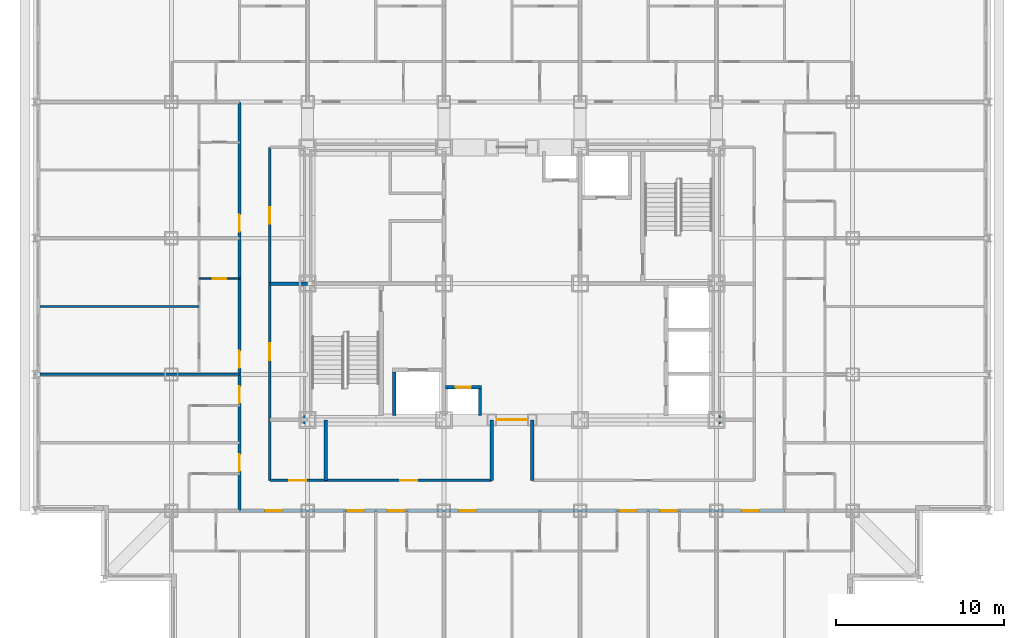
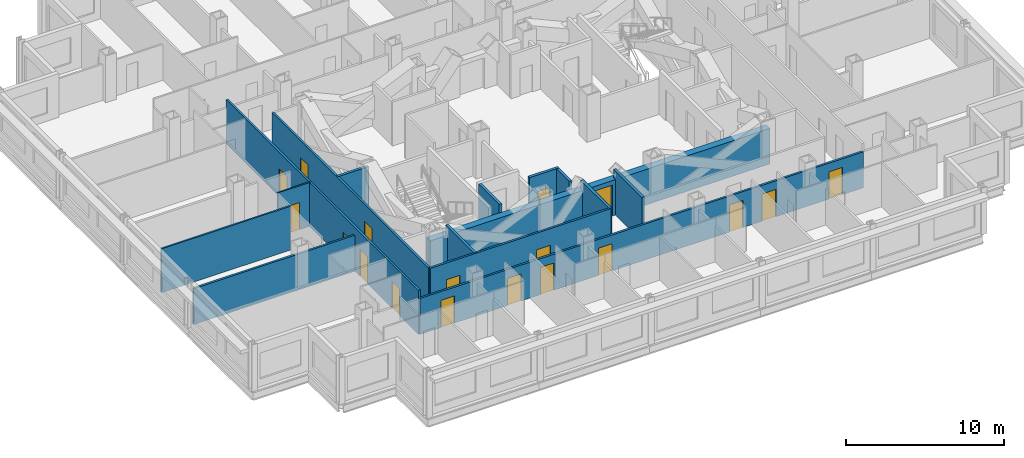
# One storey, part 5 of 12: 18 doors, 15 walls, 18 openings.
"""IFC4 building model written with IfcOpenShell, lengths in metres."""

from ifc_helpers import new_model, si_unit, direction, frame, frame_2d, origin, place, context, subcontext, project, spatial, rectangle, extrude, material, layer, layer_set, type_object, element, fill, save


model = new_model("IFC4")

# Units and contexts
model_context = context("Model", 3, precision=1e-05, world=origin(), true_north=direction((0.0, 1.0)))
body_context = subcontext(model_context, "Body", "Model", "MODEL_VIEW")
ifc_project = project(units=[si_unit("LENGTHUNIT", "METRE"), si_unit("AREAUNIT", "SQUARE_METRE"), si_unit("VOLUMEUNIT", "CUBIC_METRE"), si_unit("PLANEANGLEUNIT", "RADIAN"), si_unit("MASSUNIT", "GRAM", prefix="KILO")], contexts=[model_context])

# Site, building, storey
site_placement = place(None, origin())
site = spatial("IfcSite", under=ifc_project, at=site_placement, CompositionType="ELEMENT")
building_placement = place(site_placement, origin())
building = spatial("IfcBuilding", under=site, at=building_placement, Name="Kopane Lantern Tower", CompositionType="ELEMENT")
storey_placement = place(building_placement, frame((0.0, 0.0, 177.60009765625)))
storey = spatial("IfcBuildingStorey", under=building, at=storey_placement, Name="L45", CompositionType="ELEMENT", Elevation=177.60009765625)

# Wall
ifc_material_1 = material(Name="Gypsum board on steel studs", Category="steel")
ifc_layer_1 = layer(ifc_material_1, 0.1201171875)
ifc_layer_set_1 = layer_set([ifc_layer_1], Name="APARTMENT INTERNAL WALL 120")
wall_type_1 = type_object("IfcWallType", Name="APARTMENT INTERNAL WALL 120", PredefinedType="PARTITIONING", material=ifc_layer_set_1)
wall_1_placement = place(storey_placement, frame((9.75, 31.050048828125, 0.0), z_axis=(0.0, 0.0, 1.0), x_axis=(-1.0, 0.0, 0.0)))
element("IfcWall", 1, at=wall_1_placement, inside=storey, type_object=wall_type_1, Name="Apartment Internal Wall 120 L45", PredefinedType="PARTITIONING", context=body_context, shape_type="SweptSolid", body=[
    extrude(rectangle(XDim=9.449951171875, YDim=0.1201171875, at=frame_2d((4.72509765625, 0.0))), origin(), (0.0, 0.0, 1.0), 3.389892578125),
])

# Wall, opening, door
ifc_material_2 = material(Name="Moisture-resistant board on steel studs", Category="steel")
ifc_layer_2 = layer(ifc_material_2, 0.10009765625)
ifc_layer_set_2 = layer_set([ifc_layer_2], Name="BATHROOM WALL 100")
wall_type_2 = type_object("IfcWallType", Name="BATHROOM WALL 100", PredefinedType="PARTITIONING", material=ifc_layer_set_2)
wall_2_placement = place(storey_placement, frame((12.14990234375, 32.699951171875, 0.0), z_axis=(0.0, 0.0, 1.0), x_axis=(-1.0, 0.0, 0.0)))
wall_2 = element("IfcWall", 2, at=wall_2_placement, inside=storey, type_object=wall_type_2, Name="Bathroom Wall 100 L45", PredefinedType="PARTITIONING", context=body_context, shape_type="SweptSolid", body=[
    extrude(rectangle(XDim=2.39990234375, YDim=0.10009765625, at=frame_2d((1.199951171875, 0.0))), origin(), (0.0, 0.0, 1.0), 3.389892578125),
])
opening_1_placement = place(wall_2_placement, frame((0.800048828125, 0.0, 0.0)))
opening_1 = element("IfcOpeningElement", 3, at=opening_1_placement, cuts=wall_2, Name="Opening L45-036", PredefinedType="OPENING", context=body_context, shape_type="SweptSolid", body=[
    extrude(rectangle(XDim=0.800048828125, YDim=2.10009765625, at=frame_2d((0.39990234375, 1.050048828125))), frame((0.0, 0.06005859375, 0.0), z_axis=(0.0, -1.0, 0.0), x_axis=(1.0, 0.0, 0.0)), (0.0, 0.0, 1.0), 0.1201171875),
])
ifc_material_3 = material(Name="Timber door set", Category="wood")
door_type_1 = type_object("IfcDoorType", Name="DOOR D2 800x2100", OperationType="SINGLE_SWING_LEFT", PredefinedType="DOOR", material=ifc_material_3)
door_1_placement = place(opening_1_placement, origin())
door_1 = element("IfcDoor", 4, at=door_1_placement, inside=storey, type_object=door_type_1, Name="Door L45-036", OperationType="SINGLE_SWING_RIGHT", OverallHeight=2.10009765625, OverallWidth=0.800048828125, PredefinedType="DOOR", context=body_context, shape_type="SweptSolid", body=[
    extrude(rectangle(XDim=0.800048828125, YDim=2.10009765625, at=frame_2d((0.39990234375, 1.050048828125))), frame((0.0, 0.02490234375, 0.0), z_axis=(0.0, -1.0, 0.0), x_axis=(1.0, 0.0, 0.0)), (0.0, 0.0, 1.0), 0.050048828125),
])
fill(opening_1, door_1)

ifc_material_4 = material(Name="Gypsum shaft wall EI 120", Category="gypsum")
ifc_layer_3 = layer(ifc_material_4, 0.5)
ifc_layer_set_3 = layer_set([ifc_layer_3], Name="CORE PERIMETER WALL 500 EI 120")
wall_type_3 = type_object("IfcWallType", Name="CORE PERIMETER WALL 500 EI 120", PredefinedType="SOLIDWALL", material=ifc_layer_set_3)
wall_3_placement = place(storey_placement, frame((15.949951171875, 24.300048828125, 0.0), z_axis=(0.0, 0.0, 1.0), x_axis=(1.0, 0.0, 0.0)))
wall_3 = element("IfcWall", 5, at=wall_3_placement, inside=storey, type_object=wall_type_3, Name="Core shaft wall L45 PS", PredefinedType="SOLIDWALL", context=body_context, shape_type="SweptSolid", body=[
    extrude(rectangle(XDim=24.800048828125, YDim=0.5, at=frame_2d((12.39990234375, 0.0))), origin(), (0.0, 0.0, 1.0), 2.739990234375),
])
opening_2_placement = place(wall_3_placement, frame((11.5, 0.0, 0.0)))
opening_2 = element("IfcOpeningElement", 6, at=opening_2_placement, cuts=wall_3, Name="Opening 45.CE-S", PredefinedType="OPENING", context=body_context, shape_type="SweptSolid", body=[
    extrude(rectangle(XDim=1.800048828125, YDim=2.39990234375, at=frame_2d((0.89990234375, 1.199951171875))), frame((0.0, 0.260009765625, 0.0), z_axis=(0.0, -1.0, 0.0), x_axis=(1.0, 0.0, 0.0)), (0.0, 0.0, 1.0), 0.52001953125),
])
ifc_material_5 = material(Name="Steel door set", Category="steel")
door_type_2 = type_object("IfcDoorType", Name="CORE ENTRY DOOR 1800x2400 FD60S", OperationType="DOUBLE_DOOR_SINGLE_SWING", PredefinedType="DOOR", material=ifc_material_5)
door_2_placement = place(opening_2_placement, origin())
door_2 = element("IfcDoor", 7, at=door_2_placement, inside=storey, type_object=door_type_2, Name="Core entry door L45 south", OperationType="DOUBLE_DOOR_SINGLE_SWING", OverallHeight=2.39990234375, OverallWidth=1.800048828125, PredefinedType="DOOR", context=body_context, shape_type="SweptSolid", body=[
    extrude(rectangle(XDim=1.800048828125, YDim=2.39990234375, at=frame_2d((0.89990234375, 1.199951171875))), frame((0.0, 0.02490234375, 0.0), z_axis=(0.0, -1.0, 0.0), x_axis=(1.0, 0.0, 0.0)), (0.0, 0.0, 1.0), 0.050048828125),
])
fill(opening_2, door_2)

# Wall, openings, doors
ifc_material_6 = material(Name="Gypsum board on steel studs", Category="steel")
ifc_layer_4 = layer(ifc_material_6, 0.14990234375)
ifc_layer_set_4 = layer_set([ifc_layer_4], Name="CORRIDOR WALL 150 EI 60")
wall_type_4 = type_object("IfcWallType", Name="CORRIDOR WALL 150 EI 60", PredefinedType="PARTITIONING", material=ifc_layer_set_4)
wall_4_placement = place(storey_placement, frame((12.14990234375, 18.89990234375, 0.0), z_axis=(0.0, 0.0, 1.0), x_axis=(1.0, 0.0, 0.0)))
wall_4 = element("IfcWall", 8, at=wall_4_placement, inside=storey, type_object=wall_type_4, Name="Corridor Wall 150 Ei 60 L45", PredefinedType="PARTITIONING", context=body_context, shape_type="SweptSolid", body=[
    extrude(rectangle(XDim=32.400146484375, YDim=0.14990234375, at=frame_2d((16.2001953125, 0.0))), origin(), (0.0, 0.0, 1.0), 2.777587890625),
])
opening_3_placement = place(wall_4_placement, frame((6.39990234375, 0.0, 0.0)))
opening_3 = element("IfcOpeningElement", 9, at=opening_3_placement, cuts=wall_4, Name="Opening L45-009", PredefinedType="OPENING", context=body_context, shape_type="SweptSolid", body=[
    extrude(rectangle(XDim=1.0, YDim=2.10009765625, at=frame_2d((0.5, 1.050048828125))), frame((0.0, 0.0849609375, 0.0), z_axis=(0.0, -1.0, 0.0), x_axis=(1.0, 0.0, 0.0)), (0.0, 0.0, 1.0), 0.169921875),
])
opening_4_placement = place(wall_4_placement, frame((8.800048828125, 0.0, 0.0)))
opening_4 = element("IfcOpeningElement", 10, at=opening_4_placement, cuts=wall_4, Name="Opening L45-011", PredefinedType="OPENING", context=body_context, shape_type="SweptSolid", body=[
    extrude(rectangle(XDim=1.0, YDim=2.10009765625, at=frame_2d((0.5, 1.050048828125))), frame((0.0, 0.0849609375, 0.0), z_axis=(0.0, -1.0, 0.0), x_axis=(1.0, 0.0, 0.0)), (0.0, 0.0, 1.0), 0.169921875),
])
opening_5_placement = place(wall_4_placement, frame((13.050048828125, 0.0, 0.0)))
opening_5 = element("IfcOpeningElement", 11, at=opening_5_placement, cuts=wall_4, Name="Opening L45-013", PredefinedType="OPENING", context=body_context, shape_type="SweptSolid", body=[
    extrude(rectangle(XDim=1.0, YDim=2.10009765625, at=frame_2d((0.5, 1.050048828125))), frame((0.0, 0.0849609375, 0.0), z_axis=(0.0, -1.0, 0.0), x_axis=(1.0, 0.0, 0.0)), (0.0, 0.0, 1.0), 0.169921875),
])
opening_6_placement = place(wall_4_placement, frame((22.60009765625, 0.0, 0.0)))
opening_6 = element("IfcOpeningElement", 12, at=opening_6_placement, cuts=wall_4, Name="Opening L45-017", PredefinedType="OPENING", context=body_context, shape_type="SweptSolid", body=[
    extrude(rectangle(XDim=1.0, YDim=2.10009765625, at=frame_2d((0.5, 1.050048828125))), frame((0.0, 0.0849609375, 0.0), z_axis=(0.0, -1.0, 0.0), x_axis=(1.0, 0.0, 0.0)), (0.0, 0.0, 1.0), 0.169921875),
])
opening_7_placement = place(wall_4_placement, frame((25.0, 0.0, 0.0)))
opening_7 = element("IfcOpeningElement", 13, at=opening_7_placement, cuts=wall_4, Name="Opening L45-019", PredefinedType="OPENING", context=body_context, shape_type="SweptSolid", body=[
    extrude(rectangle(XDim=1.0, YDim=2.10009765625, at=frame_2d((0.5, 1.050048828125))), frame((0.0, 0.0849609375, 0.0), z_axis=(0.0, -1.0, 0.0), x_axis=(1.0, 0.0, 0.0)), (0.0, 0.0, 1.0), 0.169921875),
])
opening_8_placement = place(wall_4_placement, frame((1.52490234375, 0.0, 0.0)))
opening_8 = element("IfcOpeningElement", 14, at=opening_8_placement, cuts=wall_4, Name="Opening L45-054", PredefinedType="OPENING", context=body_context, shape_type="SweptSolid", body=[
    extrude(rectangle(XDim=1.0, YDim=2.10009765625, at=frame_2d((0.5, 1.050048828125))), frame((0.0, 0.0849609375, 0.0), z_axis=(0.0, -1.0, 0.0), x_axis=(1.0, 0.0, 0.0)), (0.0, 0.0, 1.0), 0.169921875),
])
opening_9_placement = place(wall_4_placement, frame((29.875, 0.0, 0.0)))
opening_9 = element("IfcOpeningElement", 15, at=opening_9_placement, cuts=wall_4, Name="Opening L45-058", PredefinedType="OPENING", context=body_context, shape_type="SweptSolid", body=[
    extrude(rectangle(XDim=1.0, YDim=2.10009765625, at=frame_2d((0.5, 1.050048828125))), frame((0.0, 0.0849609375, 0.0), z_axis=(0.0, -1.0, 0.0), x_axis=(1.0, 0.0, 0.0)), (0.0, 0.0, 1.0), 0.169921875),
])
ifc_material_7 = material(Name="Steel door set", Category="steel")
door_type_3 = type_object("IfcDoorType", Name="DOOR D3 1000x2100 FD30S", OperationType="SINGLE_SWING_LEFT", PredefinedType="DOOR", material=ifc_material_7)
door_3_placement = place(opening_3_placement, origin())
door_3 = element("IfcDoor", 16, at=door_3_placement, inside=storey, type_object=door_type_3, Name="Door L45-009", OperationType="SINGLE_SWING_RIGHT", OverallHeight=2.10009765625, OverallWidth=1.0, PredefinedType="DOOR", context=body_context, shape_type="SweptSolid", body=[
    extrude(rectangle(XDim=1.0, YDim=2.10009765625, at=frame_2d((0.5, 1.050048828125))), frame((0.0, 0.02490234375, 0.0), z_axis=(0.0, -1.0, 0.0), x_axis=(1.0, 0.0, 0.0)), (0.0, 0.0, 1.0), 0.050048828125),
])
fill(opening_3, door_3)
door_4_placement = place(opening_4_placement, origin())
door_4 = element("IfcDoor", 17, at=door_4_placement, inside=storey, type_object=door_type_3, Name="Door L45-011", OperationType="SINGLE_SWING_LEFT", OverallHeight=2.10009765625, OverallWidth=1.0, PredefinedType="DOOR", context=body_context, shape_type="SweptSolid", body=[
    extrude(rectangle(XDim=1.0, YDim=2.10009765625, at=frame_2d((0.5, 1.050048828125))), frame((0.0, 0.02490234375, 0.0), z_axis=(0.0, -1.0, 0.0), x_axis=(1.0, 0.0, 0.0)), (0.0, 0.0, 1.0), 0.050048828125),
])
fill(opening_4, door_4)
door_5_placement = place(opening_5_placement, origin())
door_5 = element("IfcDoor", 18, at=door_5_placement, inside=storey, type_object=door_type_3, Name="Door L45-013", OperationType="SINGLE_SWING_RIGHT", OverallHeight=2.10009765625, OverallWidth=1.0, PredefinedType="DOOR", context=body_context, shape_type="SweptSolid", body=[
    extrude(rectangle(XDim=1.0, YDim=2.10009765625, at=frame_2d((0.5, 1.050048828125))), frame((0.0, 0.02490234375, 0.0), z_axis=(0.0, -1.0, 0.0), x_axis=(1.0, 0.0, 0.0)), (0.0, 0.0, 1.0), 0.050048828125),
])
fill(opening_5, door_5)
door_6_placement = place(opening_6_placement, origin())
door_6 = element("IfcDoor", 19, at=door_6_placement, inside=storey, type_object=door_type_3, Name="Door L45-017", OperationType="SINGLE_SWING_RIGHT", OverallHeight=2.10009765625, OverallWidth=1.0, PredefinedType="DOOR", context=body_context, shape_type="SweptSolid", body=[
    extrude(rectangle(XDim=1.0, YDim=2.10009765625, at=frame_2d((0.5, 1.050048828125))), frame((0.0, 0.02490234375, 0.0), z_axis=(0.0, -1.0, 0.0), x_axis=(1.0, 0.0, 0.0)), (0.0, 0.0, 1.0), 0.050048828125),
])
fill(opening_6, door_6)
door_7_placement = place(opening_7_placement, origin())
door_7 = element("IfcDoor", 20, at=door_7_placement, inside=storey, type_object=door_type_3, Name="Door L45-019", OperationType="SINGLE_SWING_LEFT", OverallHeight=2.10009765625, OverallWidth=1.0, PredefinedType="DOOR", context=body_context, shape_type="SweptSolid", body=[
    extrude(rectangle(XDim=1.0, YDim=2.10009765625, at=frame_2d((0.5, 1.050048828125))), frame((0.0, 0.02490234375, 0.0), z_axis=(0.0, -1.0, 0.0), x_axis=(1.0, 0.0, 0.0)), (0.0, 0.0, 1.0), 0.050048828125),
])
fill(opening_7, door_7)
door_8_placement = place(opening_8_placement, origin())
door_8 = element("IfcDoor", 21, at=door_8_placement, inside=storey, type_object=door_type_3, Name="Door L45-054", OperationType="SINGLE_SWING_LEFT", OverallHeight=2.10009765625, OverallWidth=1.0, PredefinedType="DOOR", context=body_context, shape_type="SweptSolid", body=[
    extrude(rectangle(XDim=1.0, YDim=2.10009765625, at=frame_2d((0.5, 1.050048828125))), frame((0.0, 0.02490234375, 0.0), z_axis=(0.0, -1.0, 0.0), x_axis=(1.0, 0.0, 0.0)), (0.0, 0.0, 1.0), 0.050048828125),
])
fill(opening_8, door_8)
door_9_placement = place(opening_9_placement, origin())
door_9 = element("IfcDoor", 22, at=door_9_placement, inside=storey, type_object=door_type_3, Name="Door L45-058", OperationType="SINGLE_SWING_RIGHT", OverallHeight=2.10009765625, OverallWidth=1.0, PredefinedType="DOOR", context=body_context, shape_type="SweptSolid", body=[
    extrude(rectangle(XDim=1.0, YDim=2.10009765625, at=frame_2d((0.5, 1.050048828125))), frame((0.0, 0.02490234375, 0.0), z_axis=(0.0, -1.0, 0.0), x_axis=(1.0, 0.0, 0.0)), (0.0, 0.0, 1.0), 0.050048828125),
])
fill(opening_9, door_9)

wall_5_placement = place(storey_placement, frame((12.14990234375, 18.89990234375, 0.0), z_axis=(0.0, 0.0, 1.0), x_axis=(0.0, 1.0, 0.0)))
wall_5 = element("IfcWall", 23, at=wall_5_placement, inside=storey, type_object=wall_type_4, Name="Corridor Wall 150 Ei 60 L45", PredefinedType="PARTITIONING", context=body_context, shape_type="SweptSolid", body=[
    extrude(rectangle(XDim=24.300048828125, YDim=0.14990234375, at=frame_2d((12.14990234375, 0.0))), origin(), (0.0, 0.0, 1.0), 3.389892578125),
])
opening_10_placement = place(wall_5_placement, frame((2.35009765625, 0.0, 0.0)))
opening_10 = element("IfcOpeningElement", 24, at=opening_10_placement, cuts=wall_5, Name="Opening L45-033", PredefinedType="OPENING", context=body_context, shape_type="SweptSolid", body=[
    extrude(rectangle(XDim=1.0, YDim=2.10009765625, at=frame_2d((0.5, 1.050048828125))), frame((0.0, 0.0849609375, 0.0), z_axis=(0.0, -1.0, 0.0), x_axis=(1.0, 0.0, 0.0)), (0.0, 0.0, 1.0), 0.169921875),
])
opening_11_placement = place(wall_5_placement, frame((6.39990234375, 0.0, 0.0)))
opening_11 = element("IfcOpeningElement", 25, at=opening_11_placement, cuts=wall_5, Name="Opening L45-035", PredefinedType="OPENING", context=body_context, shape_type="SweptSolid", body=[
    extrude(rectangle(XDim=1.0, YDim=2.10009765625, at=frame_2d((0.5, 1.050048828125))), frame((0.0, 0.0849609375, 0.0), z_axis=(0.0, -1.0, 0.0), x_axis=(1.0, 0.0, 0.0)), (0.0, 0.0, 1.0), 0.169921875),
])
opening_12_placement = place(wall_5_placement, frame((8.5, 0.0, 0.0)))
opening_12 = element("IfcOpeningElement", 26, at=opening_12_placement, cuts=wall_5, Name="Opening L45-037", PredefinedType="OPENING", context=body_context, shape_type="SweptSolid", body=[
    extrude(rectangle(XDim=1.0, YDim=2.10009765625, at=frame_2d((0.5, 1.050048828125))), frame((0.0, 0.0849609375, 0.0), z_axis=(0.0, -1.0, 0.0), x_axis=(1.0, 0.0, 0.0)), (0.0, 0.0, 1.0), 0.169921875),
])
opening_13_placement = place(wall_5_placement, frame((16.60009765625, 0.0, 0.0)))
opening_13 = element("IfcOpeningElement", 27, at=opening_13_placement, cuts=wall_5, Name="Opening L45-041", PredefinedType="OPENING", context=body_context, shape_type="SweptSolid", body=[
    extrude(rectangle(XDim=1.0, YDim=2.10009765625, at=frame_2d((0.5, 1.050048828125))), frame((0.0, 0.0849609375, 0.0), z_axis=(0.0, -1.0, 0.0), x_axis=(1.0, 0.0, 0.0)), (0.0, 0.0, 1.0), 0.169921875),
])
door_10_placement = place(opening_10_placement, origin())
door_10 = element("IfcDoor", 28, at=door_10_placement, inside=storey, type_object=door_type_3, Name="Door L45-033", OperationType="SINGLE_SWING_LEFT", OverallHeight=2.10009765625, OverallWidth=1.0, PredefinedType="DOOR", context=body_context, shape_type="SweptSolid", body=[
    extrude(rectangle(XDim=1.0, YDim=2.10009765625, at=frame_2d((0.5, 1.050048828125))), frame((0.0, 0.02490234375, 0.0), z_axis=(0.0, -1.0, 0.0), x_axis=(1.0, 0.0, 0.0)), (0.0, 0.0, 1.0), 0.050048828125),
])
fill(opening_10, door_10)
door_11_placement = place(opening_11_placement, origin())
door_11 = element("IfcDoor", 29, at=door_11_placement, inside=storey, type_object=door_type_3, Name="Door L45-035", OperationType="SINGLE_SWING_LEFT", OverallHeight=2.10009765625, OverallWidth=1.0, PredefinedType="DOOR", context=body_context, shape_type="SweptSolid", body=[
    extrude(rectangle(XDim=1.0, YDim=2.10009765625, at=frame_2d((0.5, 1.050048828125))), frame((0.0, 0.02490234375, 0.0), z_axis=(0.0, -1.0, 0.0), x_axis=(1.0, 0.0, 0.0)), (0.0, 0.0, 1.0), 0.050048828125),
])
fill(opening_11, door_11)
door_12_placement = place(opening_12_placement, origin())
door_12 = element("IfcDoor", 30, at=door_12_placement, inside=storey, type_object=door_type_3, Name="Door L45-037", OperationType="SINGLE_SWING_LEFT", OverallHeight=2.10009765625, OverallWidth=1.0, PredefinedType="DOOR", context=body_context, shape_type="SweptSolid", body=[
    extrude(rectangle(XDim=1.0, YDim=2.10009765625, at=frame_2d((0.5, 1.050048828125))), frame((0.0, 0.02490234375, 0.0), z_axis=(0.0, -1.0, 0.0), x_axis=(1.0, 0.0, 0.0)), (0.0, 0.0, 1.0), 0.050048828125),
])
fill(opening_12, door_12)
door_13_placement = place(opening_13_placement, origin())
door_13 = element("IfcDoor", 31, at=door_13_placement, inside=storey, type_object=door_type_3, Name="Door L45-041", OperationType="SINGLE_SWING_LEFT", OverallHeight=2.10009765625, OverallWidth=1.0, PredefinedType="DOOR", context=body_context, shape_type="SweptSolid", body=[
    extrude(rectangle(XDim=1.0, YDim=2.10009765625, at=frame_2d((0.5, 1.050048828125))), frame((0.0, 0.02490234375, 0.0), z_axis=(0.0, -1.0, 0.0), x_axis=(1.0, 0.0, 0.0)), (0.0, 0.0, 1.0), 0.050048828125),
])
fill(opening_13, door_13)

wall_6_placement = place(storey_placement, frame((13.949951171875, 40.5, 0.0), z_axis=(0.0, 0.0, 1.0), x_axis=(0.0, -1.0, 0.0)))
wall_6 = element("IfcWall", 32, at=wall_6_placement, inside=storey, type_object=wall_type_4, Name="Corridor Wall 150 Ei 60 L45", PredefinedType="PARTITIONING", context=body_context, shape_type="SweptSolid", body=[
    extrude(rectangle(XDim=19.800048828125, YDim=0.14990234375, at=frame_2d((9.89990234375, 0.0))), origin(), (0.0, 0.0, 1.0), 3.389892578125),
])
opening_14_placement = place(wall_6_placement, frame((11.64990234375, 0.0, 0.0)))
opening_14 = element("IfcOpeningElement", 33, at=opening_14_placement, cuts=wall_6, Name="Opening L45-001", PredefinedType="OPENING", context=body_context, shape_type="SweptSolid", body=[
    extrude(rectangle(XDim=1.0, YDim=2.10009765625, at=frame_2d((0.5, 1.050048828125))), frame((0.0, 0.0849609375, 0.0), z_axis=(0.0, -1.0, 0.0), x_axis=(1.0, 0.0, 0.0)), (0.0, 0.0, 1.0), 0.169921875),
])
opening_15_placement = place(wall_6_placement, frame((3.550048828125, 0.0, 0.0)))
opening_15 = element("IfcOpeningElement", 34, at=opening_15_placement, cuts=wall_6, Name="Opening L45-002", PredefinedType="OPENING", context=body_context, shape_type="SweptSolid", body=[
    extrude(rectangle(XDim=1.0, YDim=2.10009765625, at=frame_2d((0.5, 1.050048828125))), frame((0.0, 0.0849609375, 0.0), z_axis=(0.0, -1.0, 0.0), x_axis=(1.0, 0.0, 0.0)), (0.0, 0.0, 1.0), 0.169921875),
])
ifc_material_8 = material(Name="Steel door set", Category="steel")
door_type_4 = type_object("IfcDoorType", Name="DOOR D5 1000x2100 FD60", OperationType="SINGLE_SWING_LEFT", PredefinedType="DOOR", material=ifc_material_8)
door_14_placement = place(opening_14_placement, origin())
door_14 = element("IfcDoor", 35, at=door_14_placement, inside=storey, type_object=door_type_4, Name="Door L45-001", OperationType="SINGLE_SWING_RIGHT", OverallHeight=2.10009765625, OverallWidth=1.0, PredefinedType="DOOR", context=body_context, shape_type="SweptSolid", body=[
    extrude(rectangle(XDim=1.0, YDim=2.10009765625, at=frame_2d((0.5, 1.050048828125))), frame((0.0, 0.02490234375, 0.0), z_axis=(0.0, -1.0, 0.0), x_axis=(1.0, 0.0, 0.0)), (0.0, 0.0, 1.0), 0.050048828125),
])
fill(opening_14, door_14)
door_15_placement = place(opening_15_placement, origin())
door_15 = element("IfcDoor", 36, at=door_15_placement, inside=storey, type_object=door_type_4, Name="Door L45-002", OperationType="SINGLE_SWING_LEFT", OverallHeight=2.10009765625, OverallWidth=1.0, PredefinedType="DOOR", context=body_context, shape_type="SweptSolid", body=[
    extrude(rectangle(XDim=1.0, YDim=2.10009765625, at=frame_2d((0.5, 1.050048828125))), frame((0.0, 0.02490234375, 0.0), z_axis=(0.0, -1.0, 0.0), x_axis=(1.0, 0.0, 0.0)), (0.0, 0.0, 1.0), 0.050048828125),
])
fill(opening_15, door_15)

wall_7_placement = place(storey_placement, frame((13.949951171875, 20.699951171875, 0.0), z_axis=(0.0, 0.0, 1.0), x_axis=(1.0, 0.0, 0.0)))
wall_7 = element("IfcWall", 37, at=wall_7_placement, inside=storey, type_object=wall_type_4, Name="Corridor Wall 150 Ei 60 L45", PredefinedType="PARTITIONING", context=body_context, shape_type="SweptSolid", body=[
    extrude(rectangle(XDim=13.18994140625, YDim=0.14990234375, at=frame_2d((6.594970703125, 0.0))), origin(), (0.0, 0.0, 1.0), 3.389892578125),
])
opening_16_placement = place(wall_7_placement, frame((1.166748046875, 0.0, 0.0)))
opening_16 = element("IfcOpeningElement", 38, at=opening_16_placement, cuts=wall_7, Name="Opening L45-005", PredefinedType="OPENING", context=body_context, shape_type="SweptSolid", body=[
    extrude(rectangle(XDim=1.0, YDim=2.10009765625, at=frame_2d((0.5, 1.050048828125))), frame((0.0, 0.0849609375, 0.0), z_axis=(0.0, -1.0, 0.0), x_axis=(1.0, 0.0, 0.0)), (0.0, 0.0, 1.0), 0.169921875),
])
opening_17_placement = place(wall_7_placement, frame((7.7666015625, 0.0, 0.0)))
opening_17 = element("IfcOpeningElement", 39, at=opening_17_placement, cuts=wall_7, Name="Opening L45-006", PredefinedType="OPENING", context=body_context, shape_type="SweptSolid", body=[
    extrude(rectangle(XDim=1.0, YDim=2.10009765625, at=frame_2d((0.5, 1.050048828125))), frame((0.0, 0.0849609375, 0.0), z_axis=(0.0, -1.0, 0.0), x_axis=(1.0, 0.0, 0.0)), (0.0, 0.0, 1.0), 0.169921875),
])
door_16_placement = place(opening_16_placement, origin())
door_16 = element("IfcDoor", 40, at=door_16_placement, inside=storey, type_object=door_type_4, Name="Door L45-005", OperationType="SINGLE_SWING_LEFT", OverallHeight=2.10009765625, OverallWidth=1.0, PredefinedType="DOOR", context=body_context, shape_type="SweptSolid", body=[
    extrude(rectangle(XDim=1.0, YDim=2.10009765625, at=frame_2d((0.5, 1.050048828125))), frame((0.0, 0.02490234375, 0.0), z_axis=(0.0, -1.0, 0.0), x_axis=(1.0, 0.0, 0.0)), (0.0, 0.0, 1.0), 0.050048828125),
])
fill(opening_16, door_16)
door_17_placement = place(opening_17_placement, origin())
door_17 = element("IfcDoor", 41, at=door_17_placement, inside=storey, type_object=door_type_4, Name="Door L45-006", OperationType="SINGLE_SWING_RIGHT", OverallHeight=2.10009765625, OverallWidth=1.0, PredefinedType="DOOR", context=body_context, shape_type="SweptSolid", body=[
    extrude(rectangle(XDim=1.0, YDim=2.10009765625, at=frame_2d((0.5, 1.050048828125))), frame((0.0, 0.02490234375, 0.0), z_axis=(0.0, -1.0, 0.0), x_axis=(1.0, 0.0, 0.0)), (0.0, 0.0, 1.0), 0.050048828125),
])
fill(opening_17, door_17)

# Walls
ifc_material_9 = material(Name="Gypsum board on steel studs", Category="steel")
ifc_layer_5 = layer(ifc_material_9, 0.14990234375)
ifc_layer_set_5 = layer_set([ifc_layer_5], Name="DEMISING WALL 150 EI 60")
wall_type_5 = type_object("IfcWallType", Name="DEMISING WALL 150 EI 60", PredefinedType="PARTITIONING", material=ifc_layer_set_5)
wall_8_placement = place(storey_placement, frame((12.14990234375, 27.0, 0.0), z_axis=(0.0, 0.0, 1.0), x_axis=(-1.0, 0.0, 0.0)))
element("IfcWall", 42, at=wall_8_placement, inside=storey, type_object=wall_type_5, Name="Demising Wall 150 Ei 60 L45", PredefinedType="PARTITIONING", context=body_context, shape_type="SweptSolid", body=[
    extrude(rectangle(XDim=11.849853515625, YDim=0.14990234375, at=frame_2d((5.9248046875, 0.0))), origin(), (0.0, 0.0, 1.0), 2.777587890625),
])
ifc_material_10 = material(Name="Concrete masonry", Category="masonry")
ifc_layer_6 = layer(ifc_material_10, 0.199951171875)
ifc_layer_set_6 = layer_set([ifc_layer_6], Name="PLANT ROOM WALL 200 EI 120")
wall_type_6 = type_object("IfcWallType", Name="PLANT ROOM WALL 200 EI 120", PredefinedType="SOLIDWALL", material=ifc_layer_set_6)
wall_9_placement = place(storey_placement, frame((13.949951171875, 32.39990234375, 0.0), z_axis=(0.0, 0.0, 1.0), x_axis=(1.0, 0.0, 0.0)))
element("IfcWall", 43, at=wall_9_placement, inside=storey, type_object=wall_type_6, Name="Plant Room Wall 200 Ei 120 L45", PredefinedType="SOLIDWALL", context=body_context, shape_type="SweptSolid", body=[
    extrude(rectangle(XDim=2.25, YDim=0.199951171875, at=frame_2d((1.125, 0.0))), origin(), (0.0, 0.0, 1.0), 3.389892578125),
])
for number, where, z_axis, x_axis, name in (
    (44, (17.283203125, 20.699951171875, 0.0), (0.0, 0.0, 1.0), (0.0, 1.0, 0.0), "Plant Room Wall 200 Ei 120 L45"),
    (45, (27.14990234375, 20.699951171875, 0.0), (0.0, 0.0, 1.0), (0.0, 1.0, 0.0), "Plant Room Wall 200 Ei 120 L45"),
    (46, (29.550048828125, 20.699951171875, 0.0), (0.0, 0.0, 1.0), (0.0, 1.0, 0.0), "Plant Room Wall 200 Ei 120 L45"),
):
    element("IfcWall", number, at=place(storey_placement, frame(where, z_axis=z_axis, x_axis=x_axis)), inside=storey, type_object=wall_type_6, Name=name, PredefinedType="SOLIDWALL", context=body_context, shape_type="SweptSolid", body=[
        extrude(rectangle(XDim=3.60009765625, YDim=0.199951171875, at=frame_2d((1.800048828125, 0.0))), origin(), (0.0, 0.0, 1.0), 3.389892578125),
    ])
ifc_material_11 = material(Name="Gypsum shaft wall EI 120", Category="gypsum")
ifc_layer_7 = layer(ifc_material_11, 0.199951171875)
ifc_layer_set_7 = layer_set([ifc_layer_7], Name="SHAFT WALL 200 EI 120")
wall_type_7 = type_object("IfcWallType", Name="SHAFT WALL 200 EI 120", PredefinedType="SOLIDWALL", material=ifc_layer_set_7)
wall_10_placement = place(storey_placement, frame((21.35009765625, 24.550048828125, 0.0), z_axis=(0.0, 0.0, 1.0), x_axis=(0.0, 1.0, 0.0)))
element("IfcWall", 47, at=wall_10_placement, inside=storey, type_object=wall_type_7, Name="Core shaft wall L45 XLF1", PredefinedType="SOLIDWALL", context=body_context, shape_type="SweptSolid", body=[
    extrude(rectangle(XDim=2.599853515625, YDim=0.199951171875, at=frame_2d((1.2998046875, 0.0))), origin(), (0.0, 0.0, 1.0), 3.389892578125),
])
wall_11_placement = place(storey_placement, frame((26.449951171875, 24.550048828125, 0.0), z_axis=(0.0, 0.0, 1.0), x_axis=(0.0, 1.0, 0.0)))
element("IfcWall", 48, at=wall_11_placement, inside=storey, type_object=wall_type_7, Name="Core shaft wall L45 XRS1", PredefinedType="SOLIDWALL", context=body_context, shape_type="SweptSolid", body=[
    extrude(rectangle(XDim=1.599853515625, YDim=0.199951171875, at=frame_2d((0.7998046875, 0.0))), origin(), (0.0, 0.0, 1.0), 3.389892578125),
])

# Wall, opening, door
wall_12_placement = place(storey_placement, frame((24.39990234375, 26.25, 0.0), z_axis=(0.0, 0.0, 1.0), x_axis=(1.0, 0.0, 0.0)))
wall_12 = element("IfcWall", 49, at=wall_12_placement, inside=storey, type_object=wall_type_7, Name="Core shaft wall L45 YRS1", PredefinedType="SOLIDWALL", context=body_context, shape_type="SweptSolid", body=[
    extrude(rectangle(XDim=2.150146484375, YDim=0.199951171875, at=frame_2d((1.0751953125, 0.0))), origin(), (0.0, 0.0, 1.0), 3.389892578125),
])
opening_18_placement = place(wall_12_placement, frame((0.60009765625, 0.0, 0.0)))
opening_18 = element("IfcOpeningElement", 50, at=opening_18_placement, cuts=wall_12, Name="Opening 45.RS1", PredefinedType="OPENING", context=body_context, shape_type="SweptSolid", body=[
    extrude(rectangle(XDim=0.89990234375, YDim=2.10009765625, at=frame_2d((0.449951171875, 1.050048828125))), frame((0.0, 0.10986328125, 0.0), z_axis=(0.0, -1.0, 0.0), x_axis=(1.0, 0.0, 0.0)), (0.0, 0.0, 1.0), 0.219970703125),
])
ifc_material_12 = material(Name="Steel door set", Category="steel")
door_type_5 = type_object("IfcDoorType", Name="RISER ACCESS DOOR 900x2100 FD60", OperationType="SINGLE_SWING_LEFT", PredefinedType="DOOR", material=ifc_material_12)
door_18_placement = place(opening_18_placement, origin())
door_18 = element("IfcDoor", 51, at=door_18_placement, inside=storey, type_object=door_type_5, Name="Riser access door RS1 L45", OperationType="SINGLE_SWING_LEFT", OverallHeight=2.10009765625, OverallWidth=0.89990234375, PredefinedType="DOOR", context=body_context, shape_type="SweptSolid", body=[
    extrude(rectangle(XDim=0.89990234375, YDim=2.10009765625, at=frame_2d((0.449951171875, 1.050048828125))), frame((0.0, 0.02490234375, 0.0), z_axis=(0.0, -1.0, 0.0), x_axis=(1.0, 0.0, 0.0)), (0.0, 0.0, 1.0), 0.050048828125),
])
fill(opening_18, door_18)

save(model, "model.ifc")
